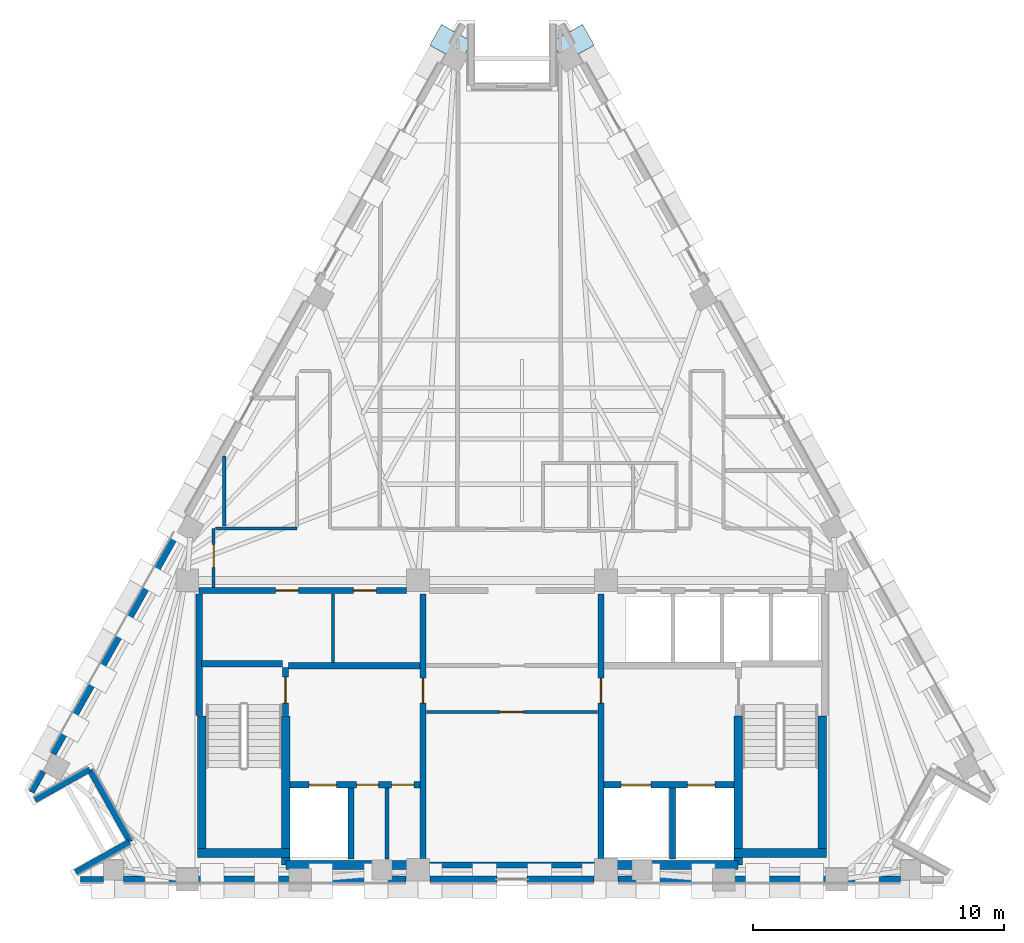
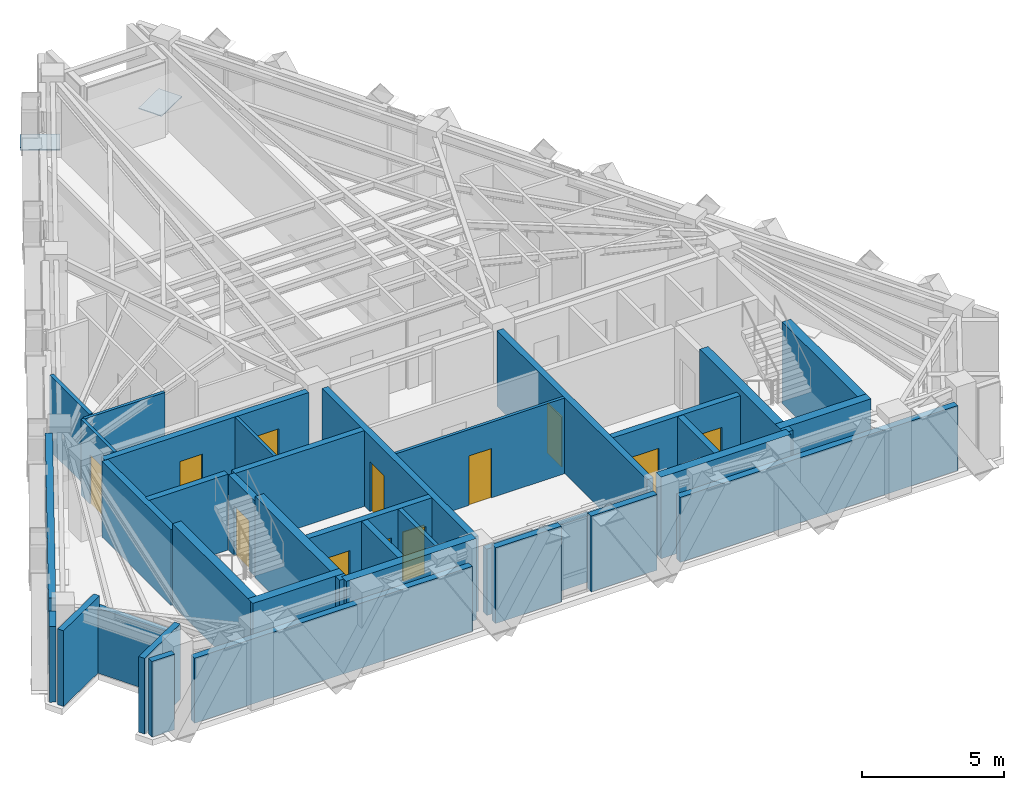
# One storey, part 5 of 9: 36 walls, 12 doors, 2 plates, 12 openings.
"""IFC4 building model written with IfcOpenShell, lengths in metres."""

from ifc_helpers import new_model, si_unit, direction, frame, frame_2d, origin, origin_2d, place, context, subcontext, project, spatial, rectangle, extrude, material, layer, layer_set, type_object, element, fill, save


model = new_model("IFC4")

# Units and contexts
model_context = context("Model", 3, precision=1e-05, world=origin(), true_north=direction((0.0, 1.0)))
body_context = subcontext(model_context, "Body", "Model", "MODEL_VIEW")
ifc_project = project(units=[si_unit("LENGTHUNIT", "METRE"), si_unit("AREAUNIT", "SQUARE_METRE"), si_unit("VOLUMEUNIT", "CUBIC_METRE"), si_unit("PLANEANGLEUNIT", "RADIAN"), si_unit("MASSUNIT", "GRAM", prefix="KILO")], contexts=[model_context])

# Site, building, storey
site_placement = place(None, origin())
site = spatial("IfcSite", under=ifc_project, at=site_placement, CompositionType="ELEMENT")
building_placement = place(site_placement, origin())
building = spatial("IfcBuilding", under=site, at=building_placement, Name="Quenlor Broadcast Tower", CompositionType="ELEMENT")
storey_placement = place(building_placement, frame((0.0, 0.0, 260.39990234375)))
storey = spatial("IfcBuildingStorey", under=building, at=storey_placement, Name="L72", CompositionType="ELEMENT", Elevation=260.39990234375)

# Plates
ifc_material_1 = material(Name="Steel S355", Category="steel")
ifc_layer_1 = layer(ifc_material_1, 0.035888671875)
ifc_layer_set_1 = layer_set([ifc_layer_1], Name="Transfer Truss Steel S355 Gusset Node Plate 1400x950x36")
plate_type = type_object("IfcPlateType", Name="Transfer Truss Steel S355 Gusset Node Plate 1400x950x36", PredefinedType="SHEET", material=ifc_layer_set_1)
for number, where, z_axis, x_axis, name in (
    (1, (2.438232421875, 16.626708984375, 0.0419921875), (0.0, 0.0, 1.0), (0.871556314255, 0.490295412055, 0.0), "L72 Lattice Tie Gusset Node NE-B0"),
    (2, (-2.438232421875, 16.626708984375, 0.0419921875), (0.0, 0.0, 1.0), (-0.871556314255, 0.490295412055, 0.0), "L72 Lattice Tie Gusset Node NW-B15"),
):
    element("IfcPlate", number, at=place(storey_placement, frame(where, z_axis=z_axis, x_axis=x_axis)), inside=storey, type_object=plate_type, Name=name, PredefinedType="SHEET", context=body_context, shape_type="SweptSolid", body=[
        extrude(rectangle(XDim=1.39990234375, YDim=0.949951171875, at=origin_2d()), origin(), (0.0, 0.0, 1.0), 0.035888671875),
    ])

# Walls
ifc_material_2 = material(Name="Acoustic Double Stud Gypsum Partition", Category="other")
ifc_layer_2 = layer(ifc_material_2, 0.14990234375)
ifc_layer_set_2 = layer_set([ifc_layer_2], Name="Broadcast Studio Acoustic Partition 150")
wall_type_1 = type_object("IfcWallType", Name="Broadcast Studio Acoustic Partition 150", PredefinedType="PARTITIONING", material=ifc_layer_set_2)
wall_1_placement = place(storey_placement, frame((-11.47998046875, -2.6201171875, 0.0), z_axis=(0.0, 0.0, 1.0), x_axis=(0.0, 1.0, 0.0)))
element("IfcWall", 3, at=wall_1_placement, inside=storey, type_object=wall_type_1, Name="L72 Interior Wall PW-DV-07", PredefinedType="PARTITIONING", context=body_context, shape_type="SweptSolid", body=[
    extrude(rectangle(XDim=2.781005859375, YDim=0.14990234375, at=frame_2d((1.390625, 0.0))), origin(), (0.0, 0.0, 1.0), 3.25),
])
ifc_material_3 = material(Name="Concrete C50/60", Category="concrete")
ifc_layer_3 = layer(ifc_material_3, 0.35009765625)
ifc_layer_set_3 = layer_set([ifc_layer_3], Name="Core Concrete C50/60 Shear Wall 350")
wall_type_2 = type_object("IfcWallType", Name="Core Concrete C50/60 Shear Wall 350", PredefinedType="SHEAR", material=ifc_layer_set_3)
wall_2_placement = place(storey_placement, frame((-12.550048828125, -15.675048828125, 0.0), z_axis=(0.0, 0.0, 1.0), x_axis=(1.0, 0.0, 0.0)))
element("IfcWall", 4, at=wall_2_placement, inside=storey, type_object=wall_type_2, Name="L72 Core Shear Wall WS-W1", PredefinedType="SHEAR", context=body_context, shape_type="SweptSolid", body=[
    extrude(rectangle(XDim=3.699951171875, YDim=0.35009765625, at=frame_2d((1.85009765625, 0.0))), origin(), (0.0, 0.0, 1.0), 3.5),
])
for number, where, z_axis, x_axis, name in (
    (5, (-9.02490234375, -16.14990234375, 0.0), (0.0, 0.0, 1.0), (1.0, 0.0, 0.0), "L72 Core Shear Wall WS-W2"),
    (6, (3.75, -16.14990234375, 0.0), (0.0, 0.0, 1.0), (1.0, 0.0, 0.0), "L72 Core Shear Wall WS-E1"),
):
    element("IfcWall", number, at=place(storey_placement, frame(where, z_axis=z_axis, x_axis=x_axis)), inside=storey, type_object=wall_type_2, Name=name, PredefinedType="SHEAR", context=body_context, shape_type="SweptSolid", body=[
        extrude(rectangle(XDim=5.27490234375, YDim=0.35009765625, at=frame_2d((2.637451171875, 0.0))), origin(), (0.0, 0.0, 1.0), 3.5),
    ])
wall_3_placement = place(storey_placement, frame((8.85009765625, -15.675048828125, 0.0), z_axis=(0.0, 0.0, 1.0), x_axis=(1.0, 0.0, 0.0)))
element("IfcWall", 7, at=wall_3_placement, inside=storey, type_object=wall_type_2, Name="L72 Core Shear Wall WS-E2", PredefinedType="SHEAR", context=body_context, shape_type="SweptSolid", body=[
    extrude(rectangle(XDim=3.699951171875, YDim=0.35009765625, at=frame_2d((1.85009765625, 0.0))), origin(), (0.0, 0.0, 1.0), 3.5),
])
for number, where, z_axis, x_axis, name in (
    (8, (-12.375, -15.675048828125, 0.0), (0.0, 0.0, 1.0), (0.0, 1.0, 0.0), "L72 Core Shear Wall WF-W"),
    (9, (12.375, -15.675048828125, 0.0), (0.0, 0.0, 1.0), (0.0, 1.0, 0.0), "L72 Core Shear Wall WF-E"),
):
    element("IfcWall", number, at=place(storey_placement, frame(where, z_axis=z_axis, x_axis=x_axis)), inside=storey, type_object=wall_type_2, Name=name, PredefinedType="SHEAR", context=body_context, shape_type="SweptSolid", body=[
        extrude(rectangle(XDim=5.47509765625, YDim=0.35009765625, at=frame_2d((2.737548828125, 0.0))), origin(), (0.0, 0.0, 1.0), 3.5),
    ])
for number, where, z_axis, x_axis, name in (
    (10, (-9.02490234375, -16.14990234375, 0.0), (0.0, 0.0, 1.0), (0.0, 1.0, 0.0), "L72 Core Shear Wall WI-W"),
    (11, (9.02490234375, -16.14990234375, 0.0), (0.0, 0.0, 1.0), (0.0, 1.0, 0.0), "L72 Core Shear Wall WI-E"),
):
    element("IfcWall", number, at=place(storey_placement, frame(where, z_axis=z_axis, x_axis=x_axis)), inside=storey, type_object=wall_type_2, Name=name, PredefinedType="SHEAR", context=body_context, shape_type="SweptSolid", body=[
        extrude(rectangle(XDim=5.949951171875, YDim=0.35009765625, at=frame_2d((2.97509765625, 0.0))), origin(), (0.0, 0.0, 1.0), 3.5),
    ])

# Wall, opening, door
ifc_material_4 = material(Name="Concrete C40/50", Category="concrete")
ifc_layer_4 = layer(ifc_material_4, 0.25)
ifc_layer_set_4 = layer_set([ifc_layer_4], Name="Fire Rated Concrete C40/50 Core Wall 250")
wall_type_3 = type_object("IfcWallType", Name="Fire Rated Concrete C40/50 Core Wall 250", PredefinedType="PARTITIONING", material=ifc_layer_set_4)
wall_4_placement = place(storey_placement, frame((-9.0400390625, -10.179931640625, 0.0), z_axis=(0.0, 0.0, 1.0), x_axis=(0.0, 1.0, 0.0)))
wall_4 = element("IfcWall", 12, at=wall_4_placement, inside=storey, type_object=wall_type_3, Name="L72 Interior Wall CW-ST1-DR", PredefinedType="PARTITIONING", context=body_context, shape_type="SweptSolid", body=[
    extrude(rectangle(XDim=1.89990234375, YDim=0.25, at=frame_2d((0.949951171875, 0.0))), origin(), (0.0, 0.0, 1.0), 3.25),
])
opening_1_placement = place(wall_4_placement, frame((0.47998046875, 0.0, 0.0)))
opening_1 = element("IfcOpeningElement", 13, at=opening_1_placement, cuts=wall_4, Name="Opening FD-1", PredefinedType="OPENING", context=body_context, shape_type="SweptSolid", body=[
    extrude(rectangle(XDim=1.050048828125, YDim=2.14990234375, at=frame_2d((0.52490234375, 1.074951171875))), frame((0.0, 0.135009765625, 0.0), z_axis=(0.0, -1.0, 0.0), x_axis=(1.0, 0.0, 0.0)), (0.0, 0.0, 1.0), 0.27001953125),
])
ifc_material_5 = material(Name="Fire Rated Steel Door Leaf", Category="steel")
door_type_1 = type_object("IfcDoorType", Name="Fire Isolated Stair Door 1050x2150", OperationType="NOTDEFINED", PredefinedType="DOOR", material=ifc_material_5)
door_1_placement = place(opening_1_placement, origin())
door_1 = element("IfcDoor", 14, at=door_1_placement, inside=storey, type_object=door_type_1, Name="L72 Door DR-ST1", OperationType="SINGLE_SWING_LEFT", OverallHeight=2.14990234375, OverallWidth=1.050048828125, PredefinedType="DOOR", context=body_context, shape_type="SweptSolid", body=[
    extrude(rectangle(XDim=1.050048828125, YDim=2.14990234375, at=frame_2d((0.52490234375, 1.074951171875))), frame((0.0, 0.02490234375, 0.0), z_axis=(0.0, -1.0, 0.0), x_axis=(1.0, 0.0, 0.0)), (0.0, 0.0, 1.0), 0.050048828125),
])
fill(opening_1, door_1)

# Walls
wall_5_placement = place(storey_placement, frame((-12.3798828125, -8.1201171875, 0.0), z_axis=(0.0, 0.0, 1.0), x_axis=(1.0, 0.0, 0.0)))
element("IfcWall", 15, at=wall_5_placement, inside=storey, type_object=wall_type_3, Name="L72 Interior Wall CW-ST1-N", PredefinedType="PARTITIONING", context=body_context, shape_type="SweptSolid", body=[
    extrude(rectangle(XDim=3.219970703125, YDim=0.25, at=frame_2d((1.60986328125, 0.0))), origin(), (0.0, 0.0, 1.0), 3.25),
])
wall_6_placement = place(storey_placement, frame((-12.47998046875, -10.179931640625, 0.0), z_axis=(0.0, 0.0, 1.0), x_axis=(0.0, 1.0, 0.0)))
element("IfcWall", 16, at=wall_6_placement, inside=storey, type_object=wall_type_3, Name="L72 Interior Wall CW-ST1-W2", PredefinedType="PARTITIONING", context=body_context, shape_type="SweptSolid", body=[
    extrude(rectangle(XDim=4.83984375, YDim=0.25, at=frame_2d((2.419921875, 0.0))), origin(), (0.0, 0.0, 1.0), 3.25),
])

# Wall, openings, doors
wall_7_placement = place(storey_placement, frame((-8.847900390625, -12.949951171875, 0.0), z_axis=(0.0, 0.0, 1.0), x_axis=(1.0, 0.0, 0.0)))
wall_7 = element("IfcWall", 17, at=wall_7_placement, inside=storey, type_object=wall_type_3, Name="L72 Interior Wall CW-FFW-S", PredefinedType="PARTITIONING", context=body_context, shape_type="SweptSolid", body=[
    extrude(rectangle(XDim=5.16796875, YDim=0.25, at=frame_2d((2.583984375, 0.0))), origin(), (0.0, 0.0, 1.0), 3.25),
])
opening_2_placement = place(wall_7_placement, frame((0.748046875, 0.0, 0.0)))
opening_2 = element("IfcOpeningElement", 18, at=opening_2_placement, cuts=wall_7, Name="Opening LD-FFL-1", PredefinedType="OPENING", context=body_context, shape_type="SweptSolid", body=[
    extrude(rectangle(XDim=1.10009765625, YDim=2.14990234375, at=frame_2d((0.550048828125, 1.074951171875))), frame((0.0, 0.135009765625, 0.0), z_axis=(0.0, -1.0, 0.0), x_axis=(1.0, 0.0, 0.0)), (0.0, 0.0, 1.0), 0.27001953125),
])
opening_3_placement = place(wall_7_placement, frame((2.64794921875, 0.0, 0.0)))
opening_3 = element("IfcOpeningElement", 19, at=opening_3_placement, cuts=wall_7, Name="Opening TD-1", PredefinedType="OPENING", context=body_context, shape_type="SweptSolid", body=[
    extrude(rectangle(XDim=0.8798828125, YDim=2.10009765625, at=frame_2d((0.43994140625, 1.050048828125))), frame((0.0, 0.135009765625, 0.0), z_axis=(0.0, -1.0, 0.0), x_axis=(1.0, 0.0, 0.0)), (0.0, 0.0, 1.0), 0.27001953125),
])
opening_4_placement = place(wall_7_placement, frame((4.048095703125, 0.0, 0.0)))
opening_4 = element("IfcOpeningElement", 20, at=opening_4_placement, cuts=wall_7, Name="Opening TD-1", PredefinedType="OPENING", context=body_context, shape_type="SweptSolid", body=[
    extrude(rectangle(XDim=0.8798828125, YDim=2.10009765625, at=frame_2d((0.43994140625, 1.050048828125))), frame((0.0, 0.135009765625, 0.0), z_axis=(0.0, -1.0, 0.0), x_axis=(1.0, 0.0, 0.0)), (0.0, 0.0, 1.0), 0.27001953125),
])
ifc_material_6 = material(Name="Brushed Stainless Steel", Category="steel")
door_type_2 = type_object("IfcDoorType", Name="Emergency Lift Sliding Landing Door 1100x2150", OperationType="NOTDEFINED", PredefinedType="DOOR", material=ifc_material_6)
door_2_placement = place(opening_2_placement, origin())
door_2 = element("IfcDoor", 21, at=door_2_placement, inside=storey, type_object=door_type_2, Name="L72 Door LD-FFL-1", OperationType="SLIDING_TO_LEFT", OverallHeight=2.14990234375, OverallWidth=1.10009765625, PredefinedType="DOOR", context=body_context, shape_type="SweptSolid", body=[
    extrude(rectangle(XDim=1.10009765625, YDim=2.14990234375, at=frame_2d((0.550048828125, 1.074951171875))), frame((0.0, 0.02490234375, 0.0), z_axis=(0.0, -1.0, 0.0), x_axis=(1.0, 0.0, 0.0)), (0.0, 0.0, 1.0), 0.050048828125),
])
fill(opening_2, door_2)
ifc_material_7 = material(Name="Fire Rated Steel Access Panel", Category="steel")
door_type_3 = type_object("IfcDoorType", Name="Riser Shaft Rated Access Trapdoor 880x2100", OperationType="NOTDEFINED", PredefinedType="TRAPDOOR", material=ifc_material_7)
door_3_placement = place(opening_3_placement, origin())
door_3 = element("IfcDoor", 22, at=door_3_placement, inside=storey, type_object=door_type_3, Name="L72 Door DR-ELR", OperationType="SINGLE_SWING_LEFT", OverallHeight=2.10009765625, OverallWidth=0.8798828125, PredefinedType="TRAPDOOR", context=body_context, shape_type="SweptSolid", body=[
    extrude(rectangle(XDim=0.8798828125, YDim=2.10009765625, at=frame_2d((0.43994140625, 1.050048828125))), frame((0.0, 0.02490234375, 0.0), z_axis=(0.0, -1.0, 0.0), x_axis=(1.0, 0.0, 0.0)), (0.0, 0.0, 1.0), 0.050048828125),
])
fill(opening_3, door_3)
door_4_placement = place(opening_4_placement, origin())
door_4 = element("IfcDoor", 23, at=door_4_placement, inside=storey, type_object=door_type_3, Name="L72 Door DR-CMR", OperationType="SINGLE_SWING_RIGHT", OverallHeight=2.10009765625, OverallWidth=0.8798828125, PredefinedType="TRAPDOOR", context=body_context, shape_type="SweptSolid", body=[
    extrude(rectangle(XDim=0.8798828125, YDim=2.10009765625, at=frame_2d((0.43994140625, 1.050048828125))), frame((0.0, 0.02490234375, 0.0), z_axis=(0.0, -1.0, 0.0), x_axis=(1.0, 0.0, 0.0)), (0.0, 0.0, 1.0), 0.050048828125),
])
fill(opening_4, door_4)

wall_8_placement = place(storey_placement, frame((3.679931640625, -12.949951171875, 0.0), z_axis=(0.0, 0.0, 1.0), x_axis=(1.0, 0.0, 0.0)))
wall_8 = element("IfcWall", 24, at=wall_8_placement, inside=storey, type_object=wall_type_3, Name="L72 Interior Wall CW-FFE-S", PredefinedType="PARTITIONING", context=body_context, shape_type="SweptSolid", body=[
    extrude(rectangle(XDim=5.16796875, YDim=0.25, at=frame_2d((2.583984375, 0.0))), origin(), (0.0, 0.0, 1.0), 3.25),
])
opening_5_placement = place(wall_8_placement, frame((3.320068359375, 0.0, 0.0)))
opening_5 = element("IfcOpeningElement", 25, at=opening_5_placement, cuts=wall_8, Name="Opening LD-FFL-2", PredefinedType="OPENING", context=body_context, shape_type="SweptSolid", body=[
    extrude(rectangle(XDim=1.10009765625, YDim=2.14990234375, at=frame_2d((0.550048828125, 1.074951171875))), frame((0.0, 0.135009765625, 0.0), z_axis=(0.0, -1.0, 0.0), x_axis=(1.0, 0.0, 0.0)), (0.0, 0.0, 1.0), 0.27001953125),
])
opening_6_placement = place(wall_8_placement, frame((0.669921875, 0.0, 0.0)))
opening_6 = element("IfcOpeningElement", 26, at=opening_6_placement, cuts=wall_8, Name="Opening LD-SVL-1", PredefinedType="OPENING", context=body_context, shape_type="SweptSolid", body=[
    extrude(rectangle(XDim=1.199951171875, YDim=2.14990234375, at=frame_2d((0.60009765625, 1.074951171875))), frame((0.0, 0.135009765625, 0.0), z_axis=(0.0, -1.0, 0.0), x_axis=(1.0, 0.0, 0.0)), (0.0, 0.0, 1.0), 0.27001953125),
])
door_5_placement = place(opening_5_placement, origin())
door_5 = element("IfcDoor", 27, at=door_5_placement, inside=storey, type_object=door_type_2, Name="L72 Door LD-FFL-2", OperationType="SLIDING_TO_RIGHT", OverallHeight=2.14990234375, OverallWidth=1.10009765625, PredefinedType="DOOR", context=body_context, shape_type="SweptSolid", body=[
    extrude(rectangle(XDim=1.10009765625, YDim=2.14990234375, at=frame_2d((0.550048828125, 1.074951171875))), frame((0.0, 0.02490234375, 0.0), z_axis=(0.0, -1.0, 0.0), x_axis=(1.0, 0.0, 0.0)), (0.0, 0.0, 1.0), 0.050048828125),
])
fill(opening_5, door_5)
ifc_material_8 = material(Name="Brushed Stainless Steel", Category="steel")
door_type_4 = type_object("IfcDoorType", Name="Goods Lift Sliding Landing Door 1200x2150", OperationType="NOTDEFINED", PredefinedType="DOOR", material=ifc_material_8)
door_6_placement = place(opening_6_placement, origin())
door_6 = element("IfcDoor", 28, at=door_6_placement, inside=storey, type_object=door_type_4, Name="L72 Door LD-SVL-1", OperationType="SLIDING_TO_LEFT", OverallHeight=2.14990234375, OverallWidth=1.199951171875, PredefinedType="DOOR", context=body_context, shape_type="SweptSolid", body=[
    extrude(rectangle(XDim=1.199951171875, YDim=2.14990234375, at=frame_2d((0.60009765625, 1.074951171875))), frame((0.0, 0.02490234375, 0.0), z_axis=(0.0, -1.0, 0.0), x_axis=(1.0, 0.0, 0.0)), (0.0, 0.0, 1.0), 0.050048828125),
])
fill(opening_6, door_6)

# Walls
for number, where, z_axis, x_axis, name in (
    (29, (-6.419921875, -15.919921875, 0.0), (0.0, 0.0, 1.0), (0.0, 1.0, 0.0), "L72 Interior Wall CW-FF1-E"),
    (30, (6.39990234375, -15.919921875, 0.0), (0.0, 0.0, 1.0), (0.0, 1.0, 0.0), "L72 Interior Wall CW-SV1-E"),
):
    element("IfcWall", number, at=place(storey_placement, frame(where, z_axis=z_axis, x_axis=x_axis)), inside=storey, type_object=wall_type_3, Name=name, PredefinedType="PARTITIONING", context=body_context, shape_type="SweptSolid", body=[
        extrude(rectangle(XDim=2.829833984375, YDim=0.25, at=frame_2d((1.4150390625, 0.0))), origin(), (0.0, 0.0, 1.0), 3.25),
    ])
wall_9_placement = place(storey_placement, frame((-8.919921875, -8.199951171875, 0.0), z_axis=(0.0, 0.0, 1.0), x_axis=(1.0, 0.0, 0.0)))
element("IfcWall", 31, at=wall_9_placement, inside=storey, type_object=wall_type_3, Name="L72 Interior Wall CW-FFW-N", PredefinedType="PARTITIONING", context=body_context, shape_type="SweptSolid", body=[
    extrude(rectangle(XDim=5.239990234375, YDim=0.25, at=frame_2d((2.6201171875, 0.0))), origin(), (0.0, 0.0, 1.0), 3.25),
])

# Wall, opening, door
wall_10_placement = place(storey_placement, frame((-3.550048828125, -15.89794921875, 0.0), z_axis=(0.0, 0.0, 1.0), x_axis=(0.0, 1.0, 0.0)))
wall_10 = element("IfcWall", 32, at=wall_10_placement, inside=storey, type_object=wall_type_3, Name="L72 Interior Wall CW-FFW-E", PredefinedType="PARTITIONING", context=body_context, shape_type="SweptSolid", body=[
    extrude(rectangle(XDim=10.557861328125, YDim=0.25, at=frame_2d((5.27880859375, 0.0))), origin(), (0.0, 0.0, 1.0), 3.25),
])
opening_7_placement = place(wall_10_placement, frame((6.197998046875, 0.0, 0.0)))
opening_7 = element("IfcOpeningElement", 33, at=opening_7_placement, cuts=wall_10, Name="Opening FD-2", PredefinedType="OPENING", context=body_context, shape_type="SweptSolid", body=[
    extrude(rectangle(XDim=1.0, YDim=2.14990234375, at=frame_2d((0.5, 1.074951171875))), frame((0.0, 0.135009765625, 0.0), z_axis=(0.0, -1.0, 0.0), x_axis=(1.0, 0.0, 0.0)), (0.0, 0.0, 1.0), 0.27001953125),
])
ifc_material_9 = material(Name="Fire Rated Glazed Steel Door", Category="steel")
door_type_5 = type_object("IfcDoorType", Name="Firefighting Lobby Smoke Door 1000x2150", OperationType="NOTDEFINED", PredefinedType="DOOR", material=ifc_material_9)
door_7_placement = place(opening_7_placement, origin())
door_7 = element("IfcDoor", 34, at=door_7_placement, inside=storey, type_object=door_type_5, Name="L72 Door DR-FFLW", OperationType="SINGLE_SWING_RIGHT", OverallHeight=2.14990234375, OverallWidth=1.0, PredefinedType="DOOR", context=body_context, shape_type="SweptSolid", body=[
    extrude(rectangle(XDim=1.0, YDim=2.14990234375, at=frame_2d((0.5, 1.074951171875))), frame((0.0, 0.02490234375, 0.0), z_axis=(0.0, -1.0, 0.0), x_axis=(1.0, 0.0, 0.0)), (0.0, 0.0, 1.0), 0.050048828125),
])
fill(opening_7, door_7)

wall_11_placement = place(storey_placement, frame((3.550048828125, -15.89794921875, 0.0), z_axis=(0.0, 0.0, 1.0), x_axis=(0.0, 1.0, 0.0)))
wall_11 = element("IfcWall", 35, at=wall_11_placement, inside=storey, type_object=wall_type_3, Name="L72 Interior Wall CW-FFE-W", PredefinedType="PARTITIONING", context=body_context, shape_type="SweptSolid", body=[
    extrude(rectangle(XDim=10.557861328125, YDim=0.25, at=frame_2d((5.27880859375, 0.0))), origin(), (0.0, 0.0, 1.0), 3.25),
])
opening_8_placement = place(wall_11_placement, frame((6.197998046875, 0.0, 0.0)))
opening_8 = element("IfcOpeningElement", 36, at=opening_8_placement, cuts=wall_11, Name="Opening FD-2", PredefinedType="OPENING", context=body_context, shape_type="SweptSolid", body=[
    extrude(rectangle(XDim=1.0, YDim=2.14990234375, at=frame_2d((0.5, 1.074951171875))), frame((0.0, 0.135009765625, 0.0), z_axis=(0.0, -1.0, 0.0), x_axis=(1.0, 0.0, 0.0)), (0.0, 0.0, 1.0), 0.27001953125),
])
door_8_placement = place(opening_8_placement, origin())
door_8 = element("IfcDoor", 37, at=door_8_placement, inside=storey, type_object=door_type_5, Name="L72 Door DR-FFLE", OperationType="SINGLE_SWING_LEFT", OverallHeight=2.14990234375, OverallWidth=1.0, PredefinedType="DOOR", context=body_context, shape_type="SweptSolid", body=[
    extrude(rectangle(XDim=1.0, YDim=2.14990234375, at=frame_2d((0.5, 1.074951171875))), frame((0.0, 0.02490234375, 0.0), z_axis=(0.0, -1.0, 0.0), x_axis=(1.0, 0.0, 0.0)), (0.0, 0.0, 1.0), 0.050048828125),
])
fill(opening_8, door_8)

# Wall, openings, doors
wall_12_placement = place(storey_placement, frame((-12.47998046875, -5.199951171875, 0.0), z_axis=(0.0, 0.0, 1.0), x_axis=(1.0, 0.0, 0.0)))
wall_12 = element("IfcWall", 38, at=wall_12_placement, inside=storey, type_object=wall_type_3, Name="L72 Interior Wall CW-N-W", PredefinedType="PARTITIONING", context=body_context, shape_type="SweptSolid", body=[
    extrude(rectangle(XDim=8.278076171875, YDim=0.25, at=frame_2d((4.13916015625, 0.0))), origin(), (0.0, 0.0, 1.0), 3.25),
])
opening_9_placement = place(wall_12_placement, frame((3.050048828125, 0.0, 0.0)))
opening_9 = element("IfcOpeningElement", 39, at=opening_9_placement, cuts=wall_12, Name="Opening ID-1", PredefinedType="OPENING", context=body_context, shape_type="SweptSolid", body=[
    extrude(rectangle(XDim=0.919921875, YDim=2.1201171875, at=frame_2d((0.4599609375, 1.06005859375))), frame((0.0, 0.135009765625, 0.0), z_axis=(0.0, -1.0, 0.0), x_axis=(1.0, 0.0, 0.0)), (0.0, 0.0, 1.0), 0.27001953125),
])
opening_10_placement = place(wall_12_placement, frame((6.14990234375, 0.0, 0.0)))
opening_10 = element("IfcOpeningElement", 40, at=opening_10_placement, cuts=wall_12, Name="Opening ID-1", PredefinedType="OPENING", context=body_context, shape_type="SweptSolid", body=[
    extrude(rectangle(XDim=0.919921875, YDim=2.1201171875, at=frame_2d((0.4599609375, 1.06005859375))), frame((0.0, 0.135009765625, 0.0), z_axis=(0.0, -1.0, 0.0), x_axis=(1.0, 0.0, 0.0)), (0.0, 0.0, 1.0), 0.27001953125),
])
ifc_material_10 = material(Name="Solid Core Timber Oak", Category="wood")
door_type_6 = type_object("IfcDoorType", Name="Single Leaf Timber Office Door 920x2120", OperationType="NOTDEFINED", PredefinedType="DOOR", material=ifc_material_10)
door_9_placement = place(opening_9_placement, origin())
door_9 = element("IfcDoor", 41, at=door_9_placement, inside=storey, type_object=door_type_6, Name="L72 Door DR-RCL1", OperationType="SINGLE_SWING_LEFT", OverallHeight=2.1201171875, OverallWidth=0.919921875, PredefinedType="DOOR", context=body_context, shape_type="SweptSolid", body=[
    extrude(rectangle(XDim=0.919921875, YDim=2.1201171875, at=frame_2d((0.4599609375, 1.06005859375))), frame((0.0, 0.02490234375, 0.0), z_axis=(0.0, -1.0, 0.0), x_axis=(1.0, 0.0, 0.0)), (0.0, 0.0, 1.0), 0.050048828125),
])
fill(opening_9, door_9)
door_10_placement = place(opening_10_placement, origin())
door_10 = element("IfcDoor", 42, at=door_10_placement, inside=storey, type_object=door_type_6, Name="L72 Door DR-RCL2", OperationType="SINGLE_SWING_RIGHT", OverallHeight=2.1201171875, OverallWidth=0.919921875, PredefinedType="DOOR", context=body_context, shape_type="SweptSolid", body=[
    extrude(rectangle(XDim=0.919921875, YDim=2.1201171875, at=frame_2d((0.4599609375, 1.06005859375))), frame((0.0, 0.02490234375, 0.0), z_axis=(0.0, -1.0, 0.0), x_axis=(1.0, 0.0, 0.0)), (0.0, 0.0, 1.0), 0.050048828125),
])
fill(opening_10, door_10)

# Walls
wall_13_placement = place(storey_placement, frame((-3.298095703125, -16.14990234375, 0.0), z_axis=(0.0, 0.0, 1.0), x_axis=(1.0, 0.0, 0.0)))
element("IfcWall", 43, at=wall_13_placement, inside=storey, type_object=wall_type_3, Name="L72 Interior Wall CW-MS-S", PredefinedType="PARTITIONING", context=body_context, shape_type="SweptSolid", body=[
    extrude(rectangle(XDim=6.59619140625, YDim=0.25, at=frame_2d((3.298095703125, 0.0))), origin(), (0.0, 0.0, 1.0), 2.84375),
])
ifc_material_11 = material(Name="Gypsum Fireboard Partition", Category="other")
ifc_layer_5 = layer(ifc_material_11, 0.159912109375)
ifc_layer_set_5 = layer_set([ifc_layer_5], Name="Fire Rated Shaft and Corridor Partition 160")
wall_type_4 = type_object("IfcWallType", Name="Fire Rated Shaft and Corridor Partition 160", PredefinedType="PARTITIONING", material=ifc_layer_set_5)
wall_14_placement = place(storey_placement, frame((-4.97998046875, -15.919921875, 0.0), z_axis=(0.0, 0.0, 1.0), x_axis=(0.0, 1.0, 0.0)))
element("IfcWall", 44, at=wall_14_placement, inside=storey, type_object=wall_type_4, Name="L72 Interior Wall CW-ELR-E", PredefinedType="PARTITIONING", context=body_context, shape_type="SweptSolid", body=[
    extrude(rectangle(XDim=2.829833984375, YDim=0.159912109375, at=frame_2d((1.4150390625, 0.0))), origin(), (0.0, 0.0, 1.0), 3.25),
])
ifc_material_12 = material(Name="Gypsum Plasterboard Partition", Category="other")
ifc_layer_6 = layer(ifc_material_12, 0.1201171875)
ifc_layer_set_6 = layer_set([ifc_layer_6], Name="Standard Office Partition 120")
wall_type_5 = type_object("IfcWallType", Name="Standard Office Partition 120", PredefinedType="PARTITIONING", material=ifc_layer_set_6)
wall_15_placement = place(storey_placement, frame((-7.14990234375, -8.072998046875, 0.0), z_axis=(0.0, 0.0, 1.0), x_axis=(0.0, 1.0, 0.0)))
element("IfcWall", 45, at=wall_15_placement, inside=storey, type_object=wall_type_5, Name="L72 Interior Wall CW-RCL-MID", PredefinedType="PARTITIONING", context=body_context, shape_type="SweptSolid", body=[
    extrude(rectangle(XDim=2.73291015625, YDim=0.1201171875, at=frame_2d((1.366455078125, 0.0))), origin(), (0.0, 0.0, 1.0), 3.25),
])

# Wall, opening, door
wall_16_placement = place(storey_placement, frame((-3.419921875, -10.050048828125, 0.0), z_axis=(0.0, 0.0, 1.0), x_axis=(1.0, 0.0, 0.0)))
wall_16 = element("IfcWall", 46, at=wall_16_placement, inside=storey, type_object=wall_type_5, Name="L72 Interior Wall CW-MS-N", PredefinedType="PARTITIONING", context=body_context, shape_type="SweptSolid", body=[
    extrude(rectangle(XDim=6.83984375, YDim=0.1201171875, at=frame_2d((3.419921875, 0.0))), origin(), (0.0, 0.0, 1.0), 3.25),
])
opening_11_placement = place(wall_16_placement, frame((2.949951171875, 0.0, 0.0)))
opening_11 = element("IfcOpeningElement", 47, at=opening_11_placement, cuts=wall_16, Name="Opening ID-1", PredefinedType="OPENING", context=body_context, shape_type="SweptSolid", body=[
    extrude(rectangle(XDim=0.919921875, YDim=2.1201171875, at=frame_2d((0.4599609375, 1.06005859375))), frame((0.0, 0.070068359375, 0.0), z_axis=(0.0, -1.0, 0.0), x_axis=(1.0, 0.0, 0.0)), (0.0, 0.0, 1.0), 0.14013671875),
])
door_11_placement = place(opening_11_placement, origin())
door_11 = element("IfcDoor", 48, at=door_11_placement, inside=storey, type_object=door_type_6, Name="L72 Door DR-RCMA", OperationType="SINGLE_SWING_LEFT", OverallHeight=2.1201171875, OverallWidth=0.919921875, PredefinedType="DOOR", context=body_context, shape_type="SweptSolid", body=[
    extrude(rectangle(XDim=0.919921875, YDim=2.1201171875, at=frame_2d((0.4599609375, 1.06005859375))), frame((0.0, 0.02490234375, 0.0), z_axis=(0.0, -1.0, 0.0), x_axis=(1.0, 0.0, 0.0)), (0.0, 0.0, 1.0), 0.050048828125),
])
fill(opening_11, door_11)

wall_17_placement = place(storey_placement, frame((-11.89990234375, -5.072998046875, 0.0), z_axis=(0.0, 0.0, 1.0), x_axis=(0.0, 1.0, 0.0)))
wall_17 = element("IfcWall", 49, at=wall_17_placement, inside=storey, type_object=wall_type_5, Name="L72 Interior Wall PW-CR-01", PredefinedType="PARTITIONING", context=body_context, shape_type="SweptSolid", body=[
    extrude(rectangle(XDim=2.343017578125, YDim=0.1201171875, at=frame_2d((1.17138671875, 0.0))), origin(), (0.0, 0.0, 1.0), 3.25),
])
opening_12_placement = place(wall_17_placement, frame((0.782958984375, 0.0, 0.0)))
opening_12 = element("IfcOpeningElement", 50, at=opening_12_placement, cuts=wall_17, Name="Opening ID-1", PredefinedType="OPENING", context=body_context, shape_type="SweptSolid", body=[
    extrude(rectangle(XDim=0.919921875, YDim=2.1201171875, at=frame_2d((0.4599609375, 1.06005859375))), frame((0.0, 0.070068359375, 0.0), z_axis=(0.0, -1.0, 0.0), x_axis=(1.0, 0.0, 0.0)), (0.0, 0.0, 1.0), 0.14013671875),
])
door_12_placement = place(opening_12_placement, origin())
door_12 = element("IfcDoor", 51, at=door_12_placement, inside=storey, type_object=door_type_6, Name="L72 Door DR-RM08", OperationType="SINGLE_SWING_LEFT", OverallHeight=2.1201171875, OverallWidth=0.919921875, PredefinedType="DOOR", context=body_context, shape_type="SweptSolid", body=[
    extrude(rectangle(XDim=0.919921875, YDim=2.1201171875, at=frame_2d((0.4599609375, 1.06005859375))), frame((0.0, 0.02490234375, 0.0), z_axis=(0.0, -1.0, 0.0), x_axis=(1.0, 0.0, 0.0)), (0.0, 0.0, 1.0), 0.050048828125),
])
fill(opening_12, door_12)

# Walls
wall_18_placement = place(storey_placement, frame((-11.837890625, -2.72998046875, 0.0), z_axis=(0.0, 0.0, 1.0), x_axis=(1.0, 0.0, 0.0)))
element("IfcWall", 52, at=wall_18_placement, inside=storey, type_object=wall_type_5, Name="L72 Interior Wall PW-CR-02", PredefinedType="PARTITIONING", context=body_context, shape_type="SweptSolid", body=[
    extrude(rectangle(XDim=3.267822265625, YDim=0.1201171875, at=frame_2d((1.6337890625, 0.0))), origin(), (0.0, 0.0, 1.0), 3.25),
])
ifc_material_13 = material(Name="Precast concrete C40/50", Category="concrete")
ifc_layer_7 = layer(ifc_material_13, 0.239990234375)
ifc_layer_set_7 = layer_set([ifc_layer_7], Name="Terrace Threshold Precast Concrete C40/50 Wall 240")
wall_type_6 = type_object("IfcWallType", Name="Terrace Threshold Precast Concrete C40/50 Wall 240", PredefinedType="STANDARD", material=ifc_layer_set_7)
wall_19_placement = place(storey_placement, frame((-16.302490234375, -16.72509765625, 0.0), z_axis=(0.0, 0.0, 1.0), x_axis=(-1.0, 0.0, 0.0)))
element("IfcWall", 53, at=wall_19_placement, inside=storey, type_object=wall_type_6, Name="L72 Exterior Wall L72-SHD-SS1", PredefinedType="STANDARD", context=body_context, shape_type="SweptSolid", body=[
    extrude(rectangle(XDim=0.91748046875, YDim=0.239990234375, at=frame_2d((0.458740234375, 0.0))), origin(), (0.0, 0.0, 1.0), 3.25),
])
wall_20_placement = place(storey_placement, frame((-19.1708984375, -13.242431640625, 0.0), z_axis=(0.0, 0.0, 1.0), x_axis=(0.490199895283, 0.871610040479, 0.0)))
element("IfcWall", 54, at=wall_20_placement, inside=storey, type_object=wall_type_6, Name="L72 Exterior Wall L72-SHD-NWS0", PredefinedType="STANDARD", context=body_context, shape_type="SweptSolid", body=[
    extrude(rectangle(XDim=0.94482421875, YDim=0.239990234375, at=frame_2d((0.472412109375, 0.0))), origin(), (0.0, 0.0, 1.0), 3.25),
])
wall_21_placement = place(storey_placement, frame((-19.033447265625, -13.556396484375, 0.0), z_axis=(0.0, 0.0, 1.0), x_axis=(0.871588577066, 0.490238056792, 0.0)))
element("IfcWall", 55, at=wall_21_placement, inside=storey, type_object=wall_type_6, Name="L72 Exterior Wall L72-CNR-13", PredefinedType="STANDARD", context=body_context, shape_type="SweptSolid", body=[
    extrude(rectangle(XDim=2.5, YDim=0.239990234375, at=frame_2d((1.25, 0.0))), origin(), (0.0, 0.0, 1.0), 3.25),
])
wall_22_placement = place(storey_placement, frame((-16.8349609375, -12.36572265625, 0.0), z_axis=(0.0, 0.0, 1.0), x_axis=(0.490293083368, -0.871557624258, 0.0)))
element("IfcWall", 56, at=wall_22_placement, inside=storey, type_object=wall_type_6, Name="L72 Exterior Wall L72-CNR-14", PredefinedType="STANDARD", context=body_context, shape_type="SweptSolid", body=[
    extrude(rectangle(XDim=3.276123046875, YDim=0.239990234375, at=frame_2d((1.63818359375, 0.0))), origin(), (0.0, 0.0, 1.0), 2.789794921875),
])
wall_23_placement = place(storey_placement, frame((-15.263671875, -15.240478515625, 0.0), z_axis=(0.0, 0.0, 1.0), x_axis=(-0.87157023615, -0.490270663468, 0.0)))
element("IfcWall", 57, at=wall_23_placement, inside=storey, type_object=wall_type_6, Name="L72 Exterior Wall L72-CNR-15", PredefinedType="STANDARD", context=body_context, shape_type="SweptSolid", body=[
    extrude(rectangle(XDim=2.4599609375, YDim=0.239990234375, at=frame_2d((1.22998046875, 0.0))), origin(), (0.0, 0.0, 1.0), 3.25),
])
ifc_material_14 = material(Name="Precast concrete C40/50", Category="concrete")
ifc_layer_8 = layer(ifc_material_14, 0.260009765625)
ifc_layer_set_8 = layer_set([ifc_layer_8], Name="Terracotta Precast Concrete C40/50 Upper Wall 260")
wall_type_7 = type_object("IfcWallType", Name="Terracotta Precast Concrete C40/50 Upper Wall 260", PredefinedType="STANDARD", material=ifc_layer_set_8)
for number, where, z_axis, x_axis, name in (
    (58, (15.49267578125, -16.72509765625, 0.0), (0.0, 0.0, 1.0), (-1.0, 0.0, 0.0), "L72 Exterior Wall L72-EW-SA"),
    (59, (-4.219970703125, -16.72509765625, 0.0), (0.0, 0.0, 1.0), (-1.0, 0.0, 0.0), "L72 Exterior Wall L72-EW-SC"),
):
    element("IfcWall", number, at=place(storey_placement, frame(where, z_axis=z_axis, x_axis=x_axis)), inside=storey, type_object=wall_type_7, Name=name, PredefinedType="STANDARD", context=body_context, shape_type="SweptSolid", body=[
        extrude(rectangle(XDim=11.272705078125, YDim=0.260009765625, at=frame_2d((5.63623046875, 0.0))), origin(), (0.0, 0.0, 1.0), 2.789794921875),
    ])
for number, where, z_axis, x_axis, name in (
    (60, (3.280029296875, -16.72509765625, 0.0), (0.0, 0.0, 1.0), (-1.0, 0.0, 0.0), "L72 Exterior Wall L72-S-SP1"),
    (61, (-0.6064453125, -16.72509765625, 0.0), (0.0, 0.0, 1.0), (-1.0, 0.0, 0.0), "L72 Exterior Wall L72-S-SP2"),
):
    element("IfcWall", number, at=place(storey_placement, frame(where, z_axis=z_axis, x_axis=x_axis)), inside=storey, type_object=wall_type_7, Name=name, PredefinedType="STANDARD", context=body_context, shape_type="SweptSolid", body=[
        extrude(rectangle(XDim=2.673583984375, YDim=0.260009765625, at=frame_2d((1.3369140625, 0.0))), origin(), (0.0, 0.0, 1.0), 3.25),
    ])
wall_24_placement = place(storey_placement, frame((-18.310546875, -11.712890625, 0.0), z_axis=(0.0, 0.0, 1.0), x_axis=(0.490266968583, 0.871572314565, 0.0)))
element("IfcWall", 62, at=wall_24_placement, inside=storey, type_object=wall_type_7, Name="L72 Exterior Wall L72-EW-NWA", PredefinedType="STANDARD", context=body_context, shape_type="SweptSolid", body=[
    extrude(rectangle(XDim=10.116455078125, YDim=0.260009765625, at=frame_2d((5.05810546875, 0.0))), origin(), (0.0, 0.0, 1.0), 3.25),
])

save(model, "model.ifc")
